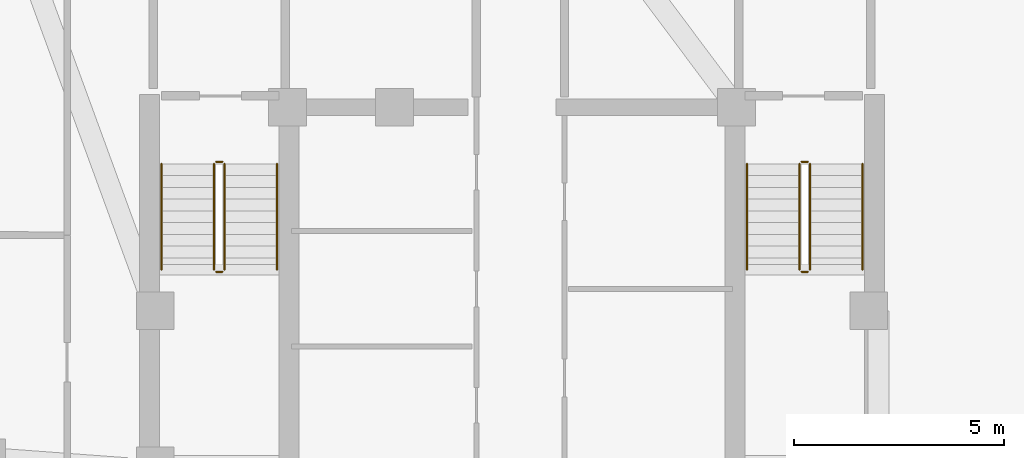
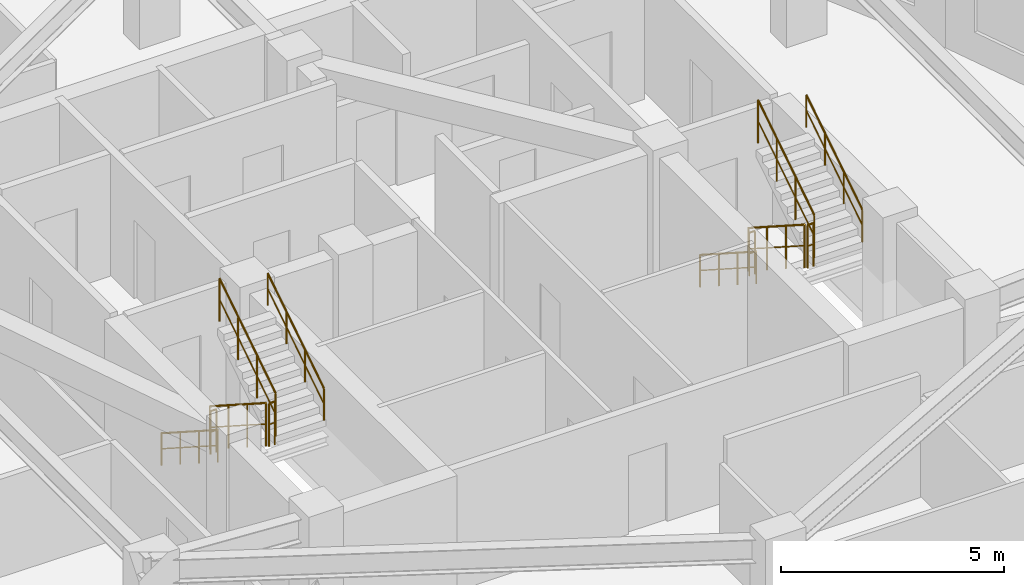
# One storey, part 9 of 9: 12 railings.
"""IFC4 building model written with IfcOpenShell, lengths in metres."""

from ifc_helpers import new_model, si_unit, direction, frame, origin, origin_2d, place, context, subcontext, project, spatial, circle, extrude, material, type_object, element, save


model = new_model("IFC4")

# Units and contexts
model_context = context("Model", 3, precision=1e-05, world=origin(), true_north=direction((0.0, 1.0)))
body_context = subcontext(model_context, "Body", "Model", "MODEL_VIEW")
ifc_project = project(units=[si_unit("LENGTHUNIT", "METRE"), si_unit("AREAUNIT", "SQUARE_METRE"), si_unit("VOLUMEUNIT", "CUBIC_METRE"), si_unit("PLANEANGLEUNIT", "RADIAN"), si_unit("MASSUNIT", "GRAM", prefix="KILO")], contexts=[model_context])

# Site, building, storey
site_placement = place(None, origin())
site = spatial("IfcSite", under=ifc_project, at=site_placement, CompositionType="ELEMENT")
building_placement = place(site_placement, origin())
building = spatial("IfcBuilding", under=site, at=building_placement, Name="Miruveldt Soraemaru", CompositionType="ELEMENT")
storey_placement = place(building_placement, frame((0.0, 0.0, 223.199951171875)))
storey = spatial("IfcBuildingStorey", under=building, at=storey_placement, Name="L61", CompositionType="ELEMENT", Elevation=223.199951171875)

# Railings
ifc_material = material(Name="Steel S355 (355 MPa)", Category="steel")
railing_type_1 = type_object("IfcRailingType", Name="RAIL-HR-900", PredefinedType="HANDRAIL", material=ifc_material)
railing_1_placement = place(storey_placement, frame((35.64990234375, 42.699951171875, 0.179931640625)))
element("IfcRailing", 1, at=railing_1_placement, inside=storey, type_object=railing_type_1, Name="L61 ST-1 stair handrail 1", PredefinedType="HANDRAIL", context=body_context, shape_type="SweptSolid", body=[
    extrude(circle(Radius=0.02392578125, at=origin_2d()), frame((0.0, 0.0, 0.8759765625), z_axis=(0.0, -0.841162588446, 0.540782303519), x_axis=(1.0, 0.0, 0.0)), (0.0, 0.0, 1.0), 2.995849609375),
    extrude(circle(Radius=0.01611328125, at=origin_2d()), frame((0.0, 0.0, 0.449951171875), z_axis=(0.0, -0.841162588446, 0.540782303519), x_axis=(1.0, 0.0, 0.0)), (0.0, 0.0, 1.0), 2.995849609375),
    extrude(circle(Radius=0.02099609375, at=origin_2d()), origin(), (0.0, 0.0, 1.0), 0.851806640625),
    extrude(circle(Radius=0.02099609375, at=origin_2d()), frame((0.0, -0.840087890625, 0.5400390625)), (0.0, 0.0, 1.0), 0.851806640625),
    extrude(circle(Radius=0.02099609375, at=origin_2d()), frame((0.0, -1.679931640625, 1.080078125)), (0.0, 0.0, 1.0), 0.851806640625),
    extrude(circle(Radius=0.02099609375, at=origin_2d()), frame((0.0, -2.52001953125, 1.6201171875)), (0.0, 0.0, 1.0), 0.851806640625),
])
railing_2_placement = place(storey_placement, frame((38.39990234375, 40.179931640625, 1.97998046875)))
element("IfcRailing", 2, at=railing_2_placement, inside=storey, type_object=railing_type_1, Name="L61 ST-1 stair handrail 2", PredefinedType="HANDRAIL", context=body_context, shape_type="SweptSolid", body=[
    extrude(circle(Radius=0.02392578125, at=origin_2d()), frame((0.0, 0.0, 0.8759765625), z_axis=(0.0, 0.841162588446, 0.540782303519), x_axis=(-1.0, 0.0, 0.0)), (0.0, 0.0, 1.0), 2.995849609375),
    extrude(circle(Radius=0.01611328125, at=origin_2d()), frame((0.0, 0.0, 0.449951171875), z_axis=(0.0, 0.841162588446, 0.540782303519), x_axis=(-1.0, 0.0, 0.0)), (0.0, 0.0, 1.0), 2.995849609375),
    extrude(circle(Radius=0.02099609375, at=origin_2d()), origin(), (0.0, 0.0, 1.0), 0.851806640625),
    extrude(circle(Radius=0.02099609375, at=origin_2d()), frame((0.0, 0.840087890625, 0.5400390625)), (0.0, 0.0, 1.0), 0.851806640625),
    extrude(circle(Radius=0.02099609375, at=origin_2d()), frame((0.0, 1.679931640625, 1.080078125)), (0.0, 0.0, 1.0), 0.851806640625),
    extrude(circle(Radius=0.02099609375, at=origin_2d()), frame((0.0, 2.52001953125, 1.6201171875)), (0.0, 0.0, 1.0), 0.851806640625),
])
railing_3_placement = place(storey_placement, frame((49.60009765625, 42.699951171875, 0.179931640625)))
element("IfcRailing", 3, at=railing_3_placement, inside=storey, type_object=railing_type_1, Name="L61 ST-2 stair handrail 1", PredefinedType="HANDRAIL", context=body_context, shape_type="SweptSolid", body=[
    extrude(circle(Radius=0.02392578125, at=origin_2d()), frame((0.0, 0.0, 0.8759765625), z_axis=(0.0, -0.841162588446, 0.540782303519), x_axis=(1.0, 0.0, 0.0)), (0.0, 0.0, 1.0), 2.995849609375),
    extrude(circle(Radius=0.01611328125, at=origin_2d()), frame((0.0, 0.0, 0.449951171875), z_axis=(0.0, -0.841162588446, 0.540782303519), x_axis=(1.0, 0.0, 0.0)), (0.0, 0.0, 1.0), 2.995849609375),
    extrude(circle(Radius=0.02099609375, at=origin_2d()), origin(), (0.0, 0.0, 1.0), 0.851806640625),
    extrude(circle(Radius=0.02099609375, at=origin_2d()), frame((0.0, -0.840087890625, 0.5400390625)), (0.0, 0.0, 1.0), 0.851806640625),
    extrude(circle(Radius=0.02099609375, at=origin_2d()), frame((0.0, -1.679931640625, 1.080078125)), (0.0, 0.0, 1.0), 0.851806640625),
    extrude(circle(Radius=0.02099609375, at=origin_2d()), frame((0.0, -2.52001953125, 1.6201171875)), (0.0, 0.0, 1.0), 0.851806640625),
])
railing_4_placement = place(storey_placement, frame((52.35009765625, 40.179931640625, 1.97998046875)))
element("IfcRailing", 4, at=railing_4_placement, inside=storey, type_object=railing_type_1, Name="L61 ST-2 stair handrail 2", PredefinedType="HANDRAIL", context=body_context, shape_type="SweptSolid", body=[
    extrude(circle(Radius=0.02392578125, at=origin_2d()), frame((0.0, 0.0, 0.8759765625), z_axis=(0.0, 0.841162588446, 0.540782303519), x_axis=(-1.0, 0.0, 0.0)), (0.0, 0.0, 1.0), 2.995849609375),
    extrude(circle(Radius=0.01611328125, at=origin_2d()), frame((0.0, 0.0, 0.449951171875), z_axis=(0.0, 0.841162588446, 0.540782303519), x_axis=(-1.0, 0.0, 0.0)), (0.0, 0.0, 1.0), 2.995849609375),
    extrude(circle(Radius=0.02099609375, at=origin_2d()), origin(), (0.0, 0.0, 1.0), 0.851806640625),
    extrude(circle(Radius=0.02099609375, at=origin_2d()), frame((0.0, 0.840087890625, 0.5400390625)), (0.0, 0.0, 1.0), 0.851806640625),
    extrude(circle(Radius=0.02099609375, at=origin_2d()), frame((0.0, 1.679931640625, 1.080078125)), (0.0, 0.0, 1.0), 0.851806640625),
    extrude(circle(Radius=0.02099609375, at=origin_2d()), frame((0.0, 2.52001953125, 1.6201171875)), (0.0, 0.0, 1.0), 0.851806640625),
])
railing_type_2 = type_object("IfcRailingType", Name="RAIL-STGUARD-1200", PredefinedType="GUARDRAIL", material=ifc_material)
railing_5_placement = place(storey_placement, frame((36.89990234375, 42.699951171875, 0.179931640625)))
element("IfcRailing", 5, at=railing_5_placement, inside=storey, type_object=railing_type_2, Name="L61 ST-1 stair guard 1", PredefinedType="GUARDRAIL", context=body_context, shape_type="SweptSolid", body=[
    extrude(circle(Radius=0.02392578125, at=origin_2d()), frame((0.0, 0.0, 1.17578125), z_axis=(0.0, -0.841162588446, 0.540782303519), x_axis=(1.0, 0.0, 0.0)), (0.0, 0.0, 1.0), 2.995849609375),
    extrude(circle(Radius=0.01611328125, at=origin_2d()), frame((0.0, 0.0, 0.60009765625), z_axis=(0.0, -0.841162588446, 0.540782303519), x_axis=(1.0, 0.0, 0.0)), (0.0, 0.0, 1.0), 2.995849609375),
    extrude(circle(Radius=0.02099609375, at=origin_2d()), origin(), (0.0, 0.0, 1.0), 1.15185546875),
    extrude(circle(Radius=0.02099609375, at=origin_2d()), frame((0.0, -0.840087890625, 0.5400390625)), (0.0, 0.0, 1.0), 1.15185546875),
    extrude(circle(Radius=0.02099609375, at=origin_2d()), frame((0.0, -1.679931640625, 1.080078125)), (0.0, 0.0, 1.0), 1.15185546875),
    extrude(circle(Radius=0.02099609375, at=origin_2d()), frame((0.0, -2.52001953125, 1.6201171875)), (0.0, 0.0, 1.0), 1.15185546875),
])
railing_6_placement = place(storey_placement, frame((36.949951171875, 40.1298828125, 1.800048828125)))
element("IfcRailing", 6, at=railing_6_placement, inside=storey, type_object=railing_type_2, Name="L61 ST-1 stair guard 2", PredefinedType="GUARDRAIL", context=body_context, shape_type="SweptSolid", body=[
    extrude(circle(Radius=0.02392578125, at=origin_2d()), frame((0.0, 0.0, 1.17578125), z_axis=(1.0, 0.0, 0.0), x_axis=(0.0, 1.0, 0.0)), (0.0, 0.0, 1.0), 0.150146484375),
    extrude(circle(Radius=0.01611328125, at=origin_2d()), frame((0.0, 0.0, 0.60009765625), z_axis=(1.0, 0.0, 0.0), x_axis=(0.0, 1.0, 0.0)), (0.0, 0.0, 1.0), 0.150146484375),
    extrude(circle(Radius=0.02099609375, at=origin_2d()), origin(), (0.0, 0.0, 1.0), 1.15185546875),
    extrude(circle(Radius=0.02099609375, at=origin_2d()), frame((0.150146484375, 0.0, 0.0)), (0.0, 0.0, 1.0), 1.15185546875),
])
railing_7_placement = place(storey_placement, frame((37.14990234375, 40.179931640625, 1.97998046875)))
element("IfcRailing", 7, at=railing_7_placement, inside=storey, type_object=railing_type_2, Name="L61 ST-1 stair guard 3", PredefinedType="GUARDRAIL", context=body_context, shape_type="SweptSolid", body=[
    extrude(circle(Radius=0.02392578125, at=origin_2d()), frame((0.0, 0.0, 1.17578125), z_axis=(0.0, 0.841162588446, 0.540782303519), x_axis=(-1.0, 0.0, 0.0)), (0.0, 0.0, 1.0), 2.995849609375),
    extrude(circle(Radius=0.01611328125, at=origin_2d()), frame((0.0, 0.0, 0.60009765625), z_axis=(0.0, 0.841162588446, 0.540782303519), x_axis=(-1.0, 0.0, 0.0)), (0.0, 0.0, 1.0), 2.995849609375),
    extrude(circle(Radius=0.02099609375, at=origin_2d()), origin(), (0.0, 0.0, 1.0), 1.15185546875),
    extrude(circle(Radius=0.02099609375, at=origin_2d()), frame((0.0, 0.840087890625, 0.5400390625)), (0.0, 0.0, 1.0), 1.15185546875),
    extrude(circle(Radius=0.02099609375, at=origin_2d()), frame((0.0, 1.679931640625, 1.080078125)), (0.0, 0.0, 1.0), 1.15185546875),
    extrude(circle(Radius=0.02099609375, at=origin_2d()), frame((0.0, 2.52001953125, 1.6201171875)), (0.0, 0.0, 1.0), 1.15185546875),
])
railing_8_placement = place(storey_placement, frame((36.949951171875, 42.75, 0.0)))
element("IfcRailing", 8, at=railing_8_placement, inside=storey, type_object=railing_type_2, Name="L61 ST-1 stair guard 4", PredefinedType="GUARDRAIL", context=body_context, shape_type="SweptSolid", body=[
    extrude(circle(Radius=0.02392578125, at=origin_2d()), frame((0.0, 0.0, 1.17578125), z_axis=(1.0, 0.0, 0.0), x_axis=(0.0, 1.0, 0.0)), (0.0, 0.0, 1.0), 0.150146484375),
    extrude(circle(Radius=0.01611328125, at=origin_2d()), frame((0.0, 0.0, 0.60009765625), z_axis=(1.0, 0.0, 0.0), x_axis=(0.0, 1.0, 0.0)), (0.0, 0.0, 1.0), 0.150146484375),
    extrude(circle(Radius=0.02099609375, at=origin_2d()), origin(), (0.0, 0.0, 1.0), 1.15185546875),
    extrude(circle(Radius=0.02099609375, at=origin_2d()), frame((0.150146484375, 0.0, 0.0)), (0.0, 0.0, 1.0), 1.15185546875),
])
railing_9_placement = place(storey_placement, frame((50.85009765625, 42.699951171875, 0.179931640625)))
element("IfcRailing", 9, at=railing_9_placement, inside=storey, type_object=railing_type_2, Name="L61 ST-2 stair guard 1", PredefinedType="GUARDRAIL", context=body_context, shape_type="SweptSolid", body=[
    extrude(circle(Radius=0.02392578125, at=origin_2d()), frame((0.0, 0.0, 1.17578125), z_axis=(0.0, -0.841162588446, 0.540782303519), x_axis=(1.0, 0.0, 0.0)), (0.0, 0.0, 1.0), 2.995849609375),
    extrude(circle(Radius=0.01611328125, at=origin_2d()), frame((0.0, 0.0, 0.60009765625), z_axis=(0.0, -0.841162588446, 0.540782303519), x_axis=(1.0, 0.0, 0.0)), (0.0, 0.0, 1.0), 2.995849609375),
    extrude(circle(Radius=0.02099609375, at=origin_2d()), origin(), (0.0, 0.0, 1.0), 1.15185546875),
    extrude(circle(Radius=0.02099609375, at=origin_2d()), frame((0.0, -0.840087890625, 0.5400390625)), (0.0, 0.0, 1.0), 1.15185546875),
    extrude(circle(Radius=0.02099609375, at=origin_2d()), frame((0.0, -1.679931640625, 1.080078125)), (0.0, 0.0, 1.0), 1.15185546875),
    extrude(circle(Radius=0.02099609375, at=origin_2d()), frame((0.0, -2.52001953125, 1.6201171875)), (0.0, 0.0, 1.0), 1.15185546875),
])
railing_10_placement = place(storey_placement, frame((50.89990234375, 40.1298828125, 1.800048828125)))
element("IfcRailing", 10, at=railing_10_placement, inside=storey, type_object=railing_type_2, Name="L61 ST-2 stair guard 2", PredefinedType="GUARDRAIL", context=body_context, shape_type="SweptSolid", body=[
    extrude(circle(Radius=0.02392578125, at=origin_2d()), frame((0.0, 0.0, 1.17578125), z_axis=(1.0, 0.0, 0.0), x_axis=(0.0, 1.0, 0.0)), (0.0, 0.0, 1.0), 0.150146484375),
    extrude(circle(Radius=0.01611328125, at=origin_2d()), frame((0.0, 0.0, 0.60009765625), z_axis=(1.0, 0.0, 0.0), x_axis=(0.0, 1.0, 0.0)), (0.0, 0.0, 1.0), 0.150146484375),
    extrude(circle(Radius=0.02099609375, at=origin_2d()), origin(), (0.0, 0.0, 1.0), 1.15185546875),
    extrude(circle(Radius=0.02099609375, at=origin_2d()), frame((0.150146484375, 0.0, 0.0)), (0.0, 0.0, 1.0), 1.15185546875),
])
railing_11_placement = place(storey_placement, frame((51.10009765625, 40.179931640625, 1.97998046875)))
element("IfcRailing", 11, at=railing_11_placement, inside=storey, type_object=railing_type_2, Name="L61 ST-2 stair guard 3", PredefinedType="GUARDRAIL", context=body_context, shape_type="SweptSolid", body=[
    extrude(circle(Radius=0.02392578125, at=origin_2d()), frame((0.0, 0.0, 1.17578125), z_axis=(0.0, 0.841162588446, 0.540782303519), x_axis=(-1.0, 0.0, 0.0)), (0.0, 0.0, 1.0), 2.995849609375),
    extrude(circle(Radius=0.01611328125, at=origin_2d()), frame((0.0, 0.0, 0.60009765625), z_axis=(0.0, 0.841162588446, 0.540782303519), x_axis=(-1.0, 0.0, 0.0)), (0.0, 0.0, 1.0), 2.995849609375),
    extrude(circle(Radius=0.02099609375, at=origin_2d()), origin(), (0.0, 0.0, 1.0), 1.15185546875),
    extrude(circle(Radius=0.02099609375, at=origin_2d()), frame((0.0, 0.840087890625, 0.5400390625)), (0.0, 0.0, 1.0), 1.15185546875),
    extrude(circle(Radius=0.02099609375, at=origin_2d()), frame((0.0, 1.679931640625, 1.080078125)), (0.0, 0.0, 1.0), 1.15185546875),
    extrude(circle(Radius=0.02099609375, at=origin_2d()), frame((0.0, 2.52001953125, 1.6201171875)), (0.0, 0.0, 1.0), 1.15185546875),
])
railing_12_placement = place(storey_placement, frame((50.89990234375, 42.75, 0.0)))
element("IfcRailing", 12, at=railing_12_placement, inside=storey, type_object=railing_type_2, Name="L61 ST-2 stair guard 4", PredefinedType="GUARDRAIL", context=body_context, shape_type="SweptSolid", body=[
    extrude(circle(Radius=0.02392578125, at=origin_2d()), frame((0.0, 0.0, 1.17578125), z_axis=(1.0, 0.0, 0.0), x_axis=(0.0, 1.0, 0.0)), (0.0, 0.0, 1.0), 0.150146484375),
    extrude(circle(Radius=0.01611328125, at=origin_2d()), frame((0.0, 0.0, 0.60009765625), z_axis=(1.0, 0.0, 0.0), x_axis=(0.0, 1.0, 0.0)), (0.0, 0.0, 1.0), 0.150146484375),
    extrude(circle(Radius=0.02099609375, at=origin_2d()), origin(), (0.0, 0.0, 1.0), 1.15185546875),
    extrude(circle(Radius=0.02099609375, at=origin_2d()), frame((0.150146484375, 0.0, 0.0)), (0.0, 0.0, 1.0), 1.15185546875),
])

save(model, "model.ifc")
